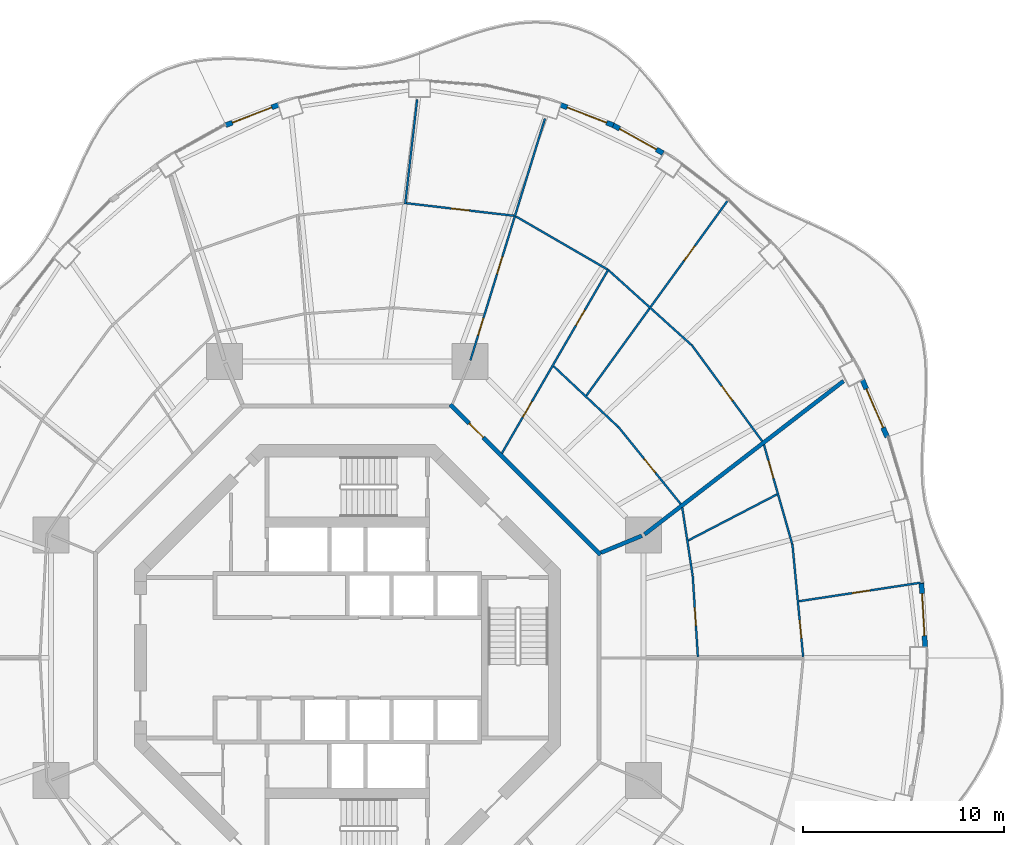
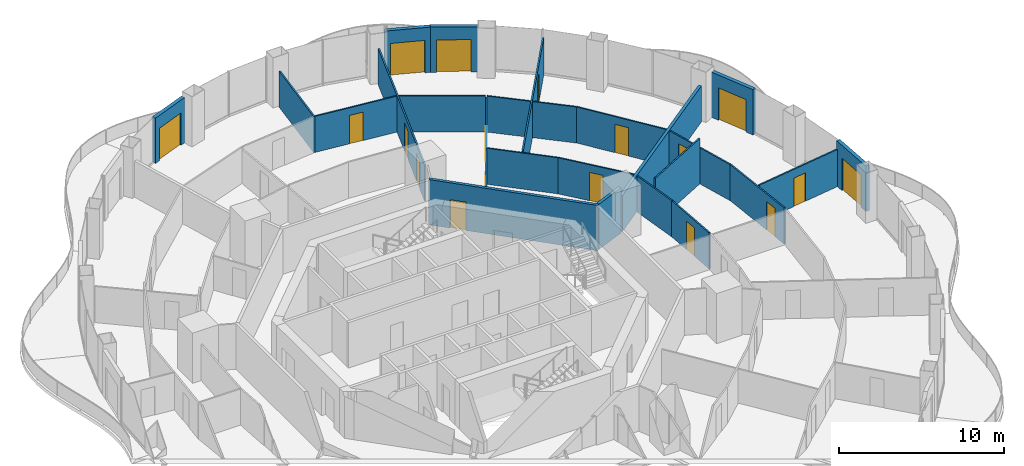
# One storey, part 15 of 19: 24 walls, 18 doors, 18 openings.
"""IFC4 building model written with IfcOpenShell, lengths in metres."""

from ifc_helpers import new_model, si_unit, direction, frame, frame_2d, origin, place, context, subcontext, project, spatial, rectangle, extrude, material, layer, layer_set, type_object, element, fill, save


model = new_model("IFC4")

# Units and contexts
model_context = context("Model", 3, precision=1e-05, world=origin(), true_north=direction((0.0, 1.0)))
body_context = subcontext(model_context, "Body", "Model", "MODEL_VIEW")
ifc_project = project(units=[si_unit("LENGTHUNIT", "METRE"), si_unit("AREAUNIT", "SQUARE_METRE"), si_unit("VOLUMEUNIT", "CUBIC_METRE"), si_unit("PLANEANGLEUNIT", "RADIAN"), si_unit("MASSUNIT", "GRAM", prefix="KILO")], contexts=[model_context])

# Site, building, storey
site_placement = place(None, origin())
site = spatial("IfcSite", under=ifc_project, at=site_placement, CompositionType="ELEMENT")
building_placement = place(site_placement, origin())
building = spatial("IfcBuilding", under=site, at=building_placement, Name="Nagisa Residences", CompositionType="ELEMENT")
storey_placement = place(building_placement, frame((0.0, 0.0, 202.89990234375)))
storey = spatial("IfcBuildingStorey", under=building, at=storey_placement, Name="L51", CompositionType="ELEMENT", Elevation=202.89990234375)

# Walls
ifc_material_1 = material(Name="Gypsum board on steel studs", Category="steel")
ifc_layer_1 = layer(ifc_material_1, 0.199951171875)
ifc_layer_set_1 = layer_set([ifc_layer_1], Name="Apartment compartment wall EI60 200")
wall_type_1 = type_object("IfcWallType", Name="Apartment compartment wall EI60 200", PredefinedType="PARTITIONING", material=ifc_layer_set_1)
wall_1_placement = place(storey_placement, frame((12.6572265625, 5.24267578125, 0.0), z_axis=(0.0, 0.0, 1.0), x_axis=(0.92383017907, 0.382802560388, 0.0)))
element("IfcWall", 1, at=wall_1_placement, inside=storey, type_object=wall_type_1, Name="wall:L51:u00", PredefinedType="PARTITIONING", context=body_context, shape_type="SweptSolid", body=[
    extrude(rectangle(XDim=2.2001953125, YDim=0.199951171875, at=frame_2d((1.10009765625, 0.0))), origin(), (0.0, 0.0, 1.0), 3.35009765625),
])
wall_2_placement = place(storey_placement, frame((14.82177734375, 6.153564453125, 0.0), z_axis=(0.0, 0.0, 1.0), x_axis=(0.792203056092, 0.610257583254, 0.0)))
element("IfcWall", 2, at=wall_2_placement, inside=storey, type_object=wall_type_1, Name="wall:L51:u01", PredefinedType="PARTITIONING", context=body_context, shape_type="SweptSolid", body=[
    extrude(rectangle(XDim=12.53271484375, YDim=0.199951171875, at=frame_2d((6.266357421875, 0.0))), origin(), (0.0, 0.0, 1.0), 2.666015625),
])

# Wall, opening, door
ifc_material_2 = material(Name="Gypsum board on steel studs", Category="steel")
ifc_layer_2 = layer(ifc_material_2, 0.199951171875)
ifc_layer_set_2 = layer_set([ifc_layer_2], Name="Apartment entry wall EI60 200")
wall_type_2 = type_object("IfcWallType", Name="Apartment entry wall EI60 200", PredefinedType="PARTITIONING", material=ifc_layer_set_2)
wall_3_placement = place(storey_placement, frame((12.635498046875, 5.1337890625, 0.0), z_axis=(0.0, 0.0, 1.0), x_axis=(-0.707106781187, 0.707106781187, 0.0)))
wall_3 = element("IfcWall", 3, at=wall_3_placement, inside=storey, type_object=wall_type_2, Name="wall:L51:u07", PredefinedType="PARTITIONING", context=body_context, shape_type="SweptSolid", body=[
    extrude(rectangle(XDim=10.609130859375, YDim=0.199951171875, at=frame_2d((5.3046875, 0.0))), origin(), (0.0, 0.0, 1.0), 3.35009765625),
])
opening_1_placement = place(wall_3_placement, frame((8.274169921875, 0.0, 0.0)))
opening_1 = element("IfcOpeningElement", 4, at=opening_1_placement, cuts=wall_3, Name="Opening L51-U22", PredefinedType="OPENING", context=body_context, shape_type="SweptSolid", body=[
    extrude(rectangle(XDim=1.0, YDim=2.10009765625, at=frame_2d((0.5, 1.050048828125))), frame((0.0, 0.10986328125, 0.0), z_axis=(0.0, -1.0, 0.0), x_axis=(1.0, 0.0, 0.0)), (0.0, 0.0, 1.0), 0.219970703125),
])
ifc_material_3 = material(Name="Timber fire door set", Category="wood")
door_type_1 = type_object("IfcDoorType", Name="Apartment entry door FD30S 1000x2100", OperationType="NOTDEFINED", PredefinedType="DOOR", material=ifc_material_3)
door_1_placement = place(opening_1_placement, frame((1.0, 0.0, 0.0), x_axis=(-1.0, 0.0, 0.0)))
door_1 = element("IfcDoor", 5, at=door_1_placement, inside=storey, type_object=door_type_1, Name="Entry door, Apartment 51B", OperationType="SINGLE_SWING_LEFT", OverallHeight=2.10009765625, OverallWidth=1.0, PredefinedType="DOOR", context=body_context, shape_type="SweptSolid", body=[
    extrude(rectangle(XDim=1.0, YDim=2.10009765625, at=frame_2d((0.5, 1.050048828125))), frame((0.0, 0.02490234375, 0.0), z_axis=(0.0, -1.0, 0.0), x_axis=(1.0, 0.0, 0.0)), (0.0, 0.0, 1.0), 0.050048828125),
])
fill(opening_1, door_1)

ifc_material_4 = material(Name="Gypsum board on steel studs", Category="steel")
ifc_layer_3 = layer(ifc_material_4, 0.10009765625)
ifc_layer_set_3 = layer_set([ifc_layer_3], Name="Apartment partition 100")
wall_type_3 = type_object("IfcWallType", Name="Apartment partition 100", PredefinedType="PARTITIONING", material=ifc_layer_set_3)
wall_4_placement = place(storey_placement, frame((17.484619140625, 0.0498046875, 0.0), z_axis=(0.0, 0.0, 1.0), x_axis=(-0.063673473968, 0.997970785501, 0.0)))
wall_4 = element("IfcWall", 6, at=wall_4_placement, inside=storey, type_object=wall_type_3, Name="wall:L51:u15", PredefinedType="PARTITIONING", context=body_context, shape_type="SweptSolid", body=[
    extrude(rectangle(XDim=4.072021484375, YDim=0.10009765625, at=frame_2d((2.0361328125, 0.0))), origin(), (0.0, 0.0, 1.0), 2.666015625),
])
opening_2_placement = place(wall_4_placement, frame((1.560791015625, 0.0, 0.0)))
opening_2 = element("IfcOpeningElement", 7, at=opening_2_placement, cuts=wall_4, Name="Opening L51-U21", PredefinedType="OPENING", context=body_context, shape_type="SweptSolid", body=[
    extrude(rectangle(XDim=0.89990234375, YDim=2.10009765625, at=frame_2d((0.449951171875, 1.050048828125))), frame((0.0, 0.06005859375, 0.0), z_axis=(0.0, -1.0, 0.0), x_axis=(1.0, 0.0, 0.0)), (0.0, 0.0, 1.0), 0.1201171875),
])
ifc_material_5 = material(Name="Timber door set", Category="wood")
door_type_2 = type_object("IfcDoorType", Name="Apartment door 900x2100", OperationType="NOTDEFINED", PredefinedType="DOOR", material=ifc_material_5)
door_2_placement = place(opening_2_placement, origin())
door_2 = element("IfcDoor", 8, at=door_2_placement, inside=storey, type_object=door_type_2, Name="Door to laundry, Apartment 51A", OperationType="SINGLE_SWING_LEFT", OverallHeight=2.10009765625, OverallWidth=0.89990234375, PredefinedType="DOOR", context=body_context, shape_type="SweptSolid", body=[
    extrude(rectangle(XDim=0.89990234375, YDim=2.10009765625, at=frame_2d((0.449951171875, 1.050048828125))), frame((0.0, 0.02490234375, 0.0), z_axis=(0.0, -1.0, 0.0), x_axis=(1.0, 0.0, 0.0)), (0.0, 0.0, 1.0), 0.050048828125),
])
fill(opening_2, door_2)

wall_5_placement = place(storey_placement, frame((22.734375, 0.0498046875, 0.0), z_axis=(0.0, 0.0, 1.0), x_axis=(-0.0949274088, 0.995484197292, 0.0)))
wall_5 = element("IfcWall", 9, at=wall_5_placement, inside=storey, type_object=wall_type_3, Name="wall:L51:u17", PredefinedType="PARTITIONING", context=body_context, shape_type="SweptSolid", body=[
    extrude(rectangle(XDim=5.647705078125, YDim=0.10009765625, at=frame_2d((2.82373046875, 0.0))), origin(), (0.0, 0.0, 1.0), 2.666015625),
])
opening_3_placement = place(wall_5_placement, frame((0.93701171875, 0.0, 0.0)))
opening_3 = element("IfcOpeningElement", 10, at=opening_3_placement, cuts=wall_5, Name="Opening L51-U16", PredefinedType="OPENING", context=body_context, shape_type="SweptSolid", body=[
    extrude(rectangle(XDim=0.89990234375, YDim=2.10009765625, at=frame_2d((0.449951171875, 1.050048828125))), frame((0.0, 0.06005859375, 0.0), z_axis=(0.0, -1.0, 0.0), x_axis=(1.0, 0.0, 0.0)), (0.0, 0.0, 1.0), 0.1201171875),
])
door_3_placement = place(opening_3_placement, origin())
door_3 = element("IfcDoor", 11, at=door_3_placement, inside=storey, type_object=door_type_2, Name="Door to family room, Apartment 51A", OperationType="SINGLE_SWING_RIGHT", OverallHeight=2.10009765625, OverallWidth=0.89990234375, PredefinedType="DOOR", context=body_context, shape_type="SweptSolid", body=[
    extrude(rectangle(XDim=0.89990234375, YDim=2.10009765625, at=frame_2d((0.449951171875, 1.050048828125))), frame((0.0, 0.02490234375, 0.0), z_axis=(0.0, -1.0, 0.0), x_axis=(1.0, 0.0, 0.0)), (0.0, 0.0, 1.0), 0.050048828125),
])
fill(opening_3, door_3)

wall_6_placement = place(storey_placement, frame((22.5205078125, 2.818603515625, 0.0), z_axis=(0.0, 0.0, 1.0), x_axis=(0.988590363863, 0.150628989499, 0.0)))
wall_6 = element("IfcWall", 12, at=wall_6_placement, inside=storey, type_object=wall_type_3, Name="wall:L51:u19", PredefinedType="PARTITIONING", context=body_context, shape_type="SweptSolid", body=[
    extrude(rectangle(XDim=6.269287109375, YDim=0.10009765625, at=frame_2d((3.134765625, 0.0))), origin(), (0.0, 0.0, 1.0), 2.7470703125),
])
opening_4_placement = place(wall_6_placement, frame((2.684814453125, 0.0, 0.0)))
opening_4 = element("IfcOpeningElement", 13, at=opening_4_placement, cuts=wall_6, Name="Opening L51-U12", PredefinedType="OPENING", context=body_context, shape_type="SweptSolid", body=[
    extrude(rectangle(XDim=0.89990234375, YDim=2.10009765625, at=frame_2d((0.449951171875, 1.050048828125))), frame((0.0, 0.06005859375, 0.0), z_axis=(0.0, -1.0, 0.0), x_axis=(1.0, 0.0, 0.0)), (0.0, 0.0, 1.0), 0.1201171875),
])
door_4_placement = place(opening_4_placement, origin())
door_4 = element("IfcDoor", 14, at=door_4_placement, inside=storey, type_object=door_type_2, Name="Door to master bedroom, Apartment 51A", OperationType="SINGLE_SWING_RIGHT", OverallHeight=2.10009765625, OverallWidth=0.89990234375, PredefinedType="DOOR", context=body_context, shape_type="SweptSolid", body=[
    extrude(rectangle(XDim=0.89990234375, YDim=2.10009765625, at=frame_2d((0.449951171875, 1.050048828125))), frame((0.0, 0.02490234375, 0.0), z_axis=(0.0, -1.0, 0.0), x_axis=(1.0, 0.0, 0.0)), (0.0, 0.0, 1.0), 0.050048828125),
])
fill(opening_4, door_4)

# Wall
wall_7_placement = place(storey_placement, frame((17.220947265625, 4.113037109375, 0.0), z_axis=(0.0, 0.0, 1.0), x_axis=(-0.1510806336, 0.988521442434, 0.0)))
element("IfcWall", 15, at=wall_7_placement, inside=storey, type_object=wall_type_3, Name="wall:L51:u20", PredefinedType="PARTITIONING", context=body_context, shape_type="SweptSolid", body=[
    extrude(rectangle(XDim=3.41943359375, YDim=0.10009765625, at=frame_2d((1.709716796875, 0.0))), origin(), (0.0, 0.0, 1.0), 2.666015625),
])

# Wall, opening, door
wall_8_placement = place(storey_placement, frame((22.189453125, 5.67041015625, 0.0), z_axis=(0.0, 0.0, 1.0), x_axis=(-0.273819702124, 0.961781040949, 0.0)))
wall_8 = element("IfcWall", 16, at=wall_8_placement, inside=storey, type_object=wall_type_3, Name="wall:L51:u21", PredefinedType="PARTITIONING", context=body_context, shape_type="SweptSolid", body=[
    extrude(rectangle(XDim=5.151611328125, YDim=0.10009765625, at=frame_2d((2.57568359375, 0.0))), origin(), (0.0, 0.0, 1.0), 2.666015625),
])
opening_5_placement = place(wall_8_placement, frame((3.42626953125, 0.0, 0.0)))
opening_5 = element("IfcOpeningElement", 17, at=opening_5_placement, cuts=wall_8, Name="Opening L51-U17", PredefinedType="OPENING", context=body_context, shape_type="SweptSolid", body=[
    extrude(rectangle(XDim=0.89990234375, YDim=2.10009765625, at=frame_2d((0.449951171875, 1.050048828125))), frame((0.0, 0.06005859375, 0.0), z_axis=(0.0, -1.0, 0.0), x_axis=(1.0, 0.0, 0.0)), (0.0, 0.0, 1.0), 0.1201171875),
])
door_5_placement = place(opening_5_placement, origin())
door_5 = element("IfcDoor", 18, at=door_5_placement, inside=storey, type_object=door_type_2, Name="Door to en-suite bathroom, Apartment 51A", OperationType="SINGLE_SWING_LEFT", OverallHeight=2.10009765625, OverallWidth=0.89990234375, PredefinedType="DOOR", context=body_context, shape_type="SweptSolid", body=[
    extrude(rectangle(XDim=0.89990234375, YDim=2.10009765625, at=frame_2d((0.449951171875, 1.050048828125))), frame((0.0, 0.02490234375, 0.0), z_axis=(0.0, -1.0, 0.0), x_axis=(1.0, 0.0, 0.0)), (0.0, 0.0, 1.0), 0.050048828125),
])
fill(opening_5, door_5)

# Wall
wall_9_placement = place(storey_placement, frame((17.003173828125, 5.850830078125, 0.0), z_axis=(0.0, 0.0, 1.0), x_axis=(0.887654549419, 0.460509935719, 0.0)))
element("IfcWall", 19, at=wall_9_placement, inside=storey, type_object=wall_type_3, Name="wall:L51:u22", PredefinedType="PARTITIONING", context=body_context, shape_type="SweptSolid", body=[
    extrude(rectangle(XDim=4.990234375, YDim=0.10009765625, at=frame_2d((2.4951171875, 0.0))), origin(), (0.0, 0.0, 1.0), 3.35009765625),
])

# Wall, opening, door
wall_10_placement = place(storey_placement, frame((16.626220703125, 7.669921875, 0.0), z_axis=(0.0, 0.0, 1.0), x_axis=(-0.628764602857, 0.777595700987, 0.0)))
wall_10 = element("IfcWall", 20, at=wall_10_placement, inside=storey, type_object=wall_type_3, Name="wall:L51:u23", PredefinedType="PARTITIONING", context=body_context, shape_type="SweptSolid", body=[
    extrude(rectangle(XDim=4.957275390625, YDim=0.10009765625, at=frame_2d((2.478515625, 0.0))), origin(), (0.0, 0.0, 1.0), 2.666015625),
])
opening_6_placement = place(wall_10_placement, frame((2.003662109375, 0.0, 0.0)))
opening_6 = element("IfcOpeningElement", 21, at=opening_6_placement, cuts=wall_10, Name="Opening L51-U26", PredefinedType="OPENING", context=body_context, shape_type="SweptSolid", body=[
    extrude(rectangle(XDim=0.89990234375, YDim=2.10009765625, at=frame_2d((0.449951171875, 1.050048828125))), frame((0.0, 0.06005859375, 0.0), z_axis=(0.0, -1.0, 0.0), x_axis=(1.0, 0.0, 0.0)), (0.0, 0.0, 1.0), 0.1201171875),
])
door_6_placement = place(opening_6_placement, frame((0.89990234375, 0.0, 0.0), x_axis=(-1.0, 0.0, 0.0)))
door_6 = element("IfcDoor", 22, at=door_6_placement, inside=storey, type_object=door_type_2, Name="Door to kitchen, Apartment 51B", OperationType="SINGLE_SWING_LEFT", OverallHeight=2.10009765625, OverallWidth=0.89990234375, PredefinedType="DOOR", context=body_context, shape_type="SweptSolid", body=[
    extrude(rectangle(XDim=0.89990234375, YDim=2.10009765625, at=frame_2d((0.449951171875, 1.050048828125))), frame((0.0, 0.02490234375, 0.0), z_axis=(0.0, -1.0, 0.0), x_axis=(1.0, 0.0, 0.0)), (0.0, 0.0, 1.0), 0.050048828125),
])
fill(opening_6, door_6)

wall_11_placement = place(storey_placement, frame((20.6923828125, 10.802001953125, 0.0), z_axis=(0.0, 0.0, 1.0), x_axis=(-0.591122127251, 0.806582066918, 0.0)))
wall_11 = element("IfcWall", 23, at=wall_11_placement, inside=storey, type_object=wall_type_3, Name="wall:L51:u24", PredefinedType="PARTITIONING", context=body_context, shape_type="SweptSolid", body=[
    extrude(rectangle(XDim=5.960205078125, YDim=0.10009765625, at=frame_2d((2.97998046875, 0.0))), origin(), (0.0, 0.0, 1.0), 2.666015625),
])
opening_7_placement = place(wall_11_placement, frame((2.5048828125, 0.0, 0.0)))
opening_7 = element("IfcOpeningElement", 24, at=opening_7_placement, cuts=wall_11, Name="Opening L51-U30", PredefinedType="OPENING", context=body_context, shape_type="SweptSolid", body=[
    extrude(rectangle(XDim=0.89990234375, YDim=2.10009765625, at=frame_2d((0.449951171875, 1.050048828125))), frame((0.0, 0.06005859375, 0.0), z_axis=(0.0, -1.0, 0.0), x_axis=(1.0, 0.0, 0.0)), (0.0, 0.0, 1.0), 0.1201171875),
])
door_7_placement = place(opening_7_placement, frame((0.89990234375, 0.0, 0.0), x_axis=(-1.0, 0.0, 0.0)))
door_7 = element("IfcDoor", 25, at=door_7_placement, inside=storey, type_object=door_type_2, Name="Door to dining room, Apartment 51B", OperationType="SINGLE_SWING_LEFT", OverallHeight=2.10009765625, OverallWidth=0.89990234375, PredefinedType="DOOR", context=body_context, shape_type="SweptSolid", body=[
    extrude(rectangle(XDim=0.89990234375, YDim=2.10009765625, at=frame_2d((0.449951171875, 1.050048828125))), frame((0.0, 0.02490234375, 0.0), z_axis=(0.0, -1.0, 0.0), x_axis=(1.0, 0.0, 0.0)), (0.0, 0.0, 1.0), 0.050048828125),
])
fill(opening_7, door_7)

# Walls
wall_12_placement = place(storey_placement, frame((13.50439453125, 11.52001953125, 0.0), z_axis=(0.0, 0.0, 1.0), x_axis=(-0.728885663674, 0.684635442619, 0.0)))
element("IfcWall", 26, at=wall_12_placement, inside=storey, type_object=wall_type_3, Name="wall:L51:u25", PredefinedType="PARTITIONING", context=body_context, shape_type="SweptSolid", body=[
    extrude(rectangle(XDim=4.41943359375, YDim=0.10009765625, at=frame_2d((2.209716796875, 0.0))), origin(), (0.0, 0.0, 1.0), 2.666015625),
])
wall_13_placement = place(storey_placement, frame((17.16162109375, 15.6025390625, 0.0), z_axis=(0.0, 0.0, 1.0), x_axis=(-0.742790086539, 0.66952437397, 0.0)))
element("IfcWall", 27, at=wall_13_placement, inside=storey, type_object=wall_type_3, Name="wall:L51:u26", PredefinedType="PARTITIONING", context=body_context, shape_type="SweptSolid", body=[
    extrude(rectangle(XDim=5.54150390625, YDim=0.10009765625, at=frame_2d((2.770751953125, 0.0))), origin(), (0.0, 0.0, 1.0), 2.666015625),
])

# Wall, opening, door
wall_14_placement = place(storey_placement, frame((11.923095703125, 13.0732421875, 0.0), z_axis=(0.0, 0.0, 1.0), x_axis=(0.586643945506, 0.809844973561, 0.0)))
wall_14 = element("IfcWall", 28, at=wall_14_placement, inside=storey, type_object=wall_type_3, Name="wall:L51:u27", PredefinedType="PARTITIONING", context=body_context, shape_type="SweptSolid", body=[
    extrude(rectangle(XDim=12.104248046875, YDim=0.10009765625, at=frame_2d((6.05224609375, 0.0))), origin(), (0.0, 0.0, 1.0), 2.7470703125),
])
opening_8_placement = place(wall_14_placement, frame((8.310302734375, 0.0, 0.0)))
opening_8 = element("IfcOpeningElement", 29, at=opening_8_placement, cuts=wall_14, Name="Opening L51-U31", PredefinedType="OPENING", context=body_context, shape_type="SweptSolid", body=[
    extrude(rectangle(XDim=0.89990234375, YDim=2.10009765625, at=frame_2d((0.449951171875, 1.050048828125))), frame((0.0, 0.06005859375, 0.0), z_axis=(0.0, -1.0, 0.0), x_axis=(1.0, 0.0, 0.0)), (0.0, 0.0, 1.0), 0.1201171875),
])
door_8_placement = place(opening_8_placement, origin())
door_8 = element("IfcDoor", 30, at=door_8_placement, inside=storey, type_object=door_type_2, Name="Door to master bedroom, Apartment 51B", OperationType="SINGLE_SWING_LEFT", OverallHeight=2.10009765625, OverallWidth=0.89990234375, PredefinedType="DOOR", context=body_context, shape_type="SweptSolid", body=[
    extrude(rectangle(XDim=0.89990234375, YDim=2.10009765625, at=frame_2d((0.449951171875, 1.050048828125))), frame((0.0, 0.02490234375, 0.0), z_axis=(0.0, -1.0, 0.0), x_axis=(1.0, 0.0, 0.0)), (0.0, 0.0, 1.0), 0.050048828125),
])
fill(opening_8, door_8)

# Wall, openings, doors
wall_15_placement = place(storey_placement, frame((7.7080078125, 10.19775390625, 0.0), z_axis=(0.0, 0.0, 1.0), x_axis=(0.501288100085, 0.865280440501, 0.0)))
wall_15 = element("IfcWall", 31, at=wall_15_placement, inside=storey, type_object=wall_type_3, Name="wall:L51:u28", PredefinedType="PARTITIONING", context=body_context, shape_type="SweptSolid", body=[
    extrude(rectangle(XDim=10.623046875, YDim=0.10009765625, at=frame_2d((5.3115234375, 0.0))), origin(), (0.0, 0.0, 1.0), 2.51513671875),
])
opening_9_placement = place(wall_15_placement, frame((2.082275390625, 0.0, 0.0)))
opening_9 = element("IfcOpeningElement", 32, at=opening_9_placement, cuts=wall_15, Name="Opening L51-U23", PredefinedType="OPENING", context=body_context, shape_type="SweptSolid", body=[
    extrude(rectangle(XDim=0.89990234375, YDim=2.10009765625, at=frame_2d((0.449951171875, 1.050048828125))), frame((0.0, 0.06005859375, 0.0), z_axis=(0.0, -1.0, 0.0), x_axis=(1.0, 0.0, 0.0)), (0.0, 0.0, 1.0), 0.1201171875),
])
opening_10_placement = place(wall_15_placement, frame((7.36865234375, 0.0, 0.0)))
opening_10 = element("IfcOpeningElement", 33, at=opening_10_placement, cuts=wall_15, Name="Opening L51-U27", PredefinedType="OPENING", context=body_context, shape_type="SweptSolid", body=[
    extrude(rectangle(XDim=0.89990234375, YDim=2.10009765625, at=frame_2d((0.449951171875, 1.050048828125))), frame((0.0, 0.06005859375, 0.0), z_axis=(0.0, -1.0, 0.0), x_axis=(1.0, 0.0, 0.0)), (0.0, 0.0, 1.0), 0.1201171875),
])
door_9_placement = place(opening_9_placement, frame((0.89990234375, 0.0, 0.0), x_axis=(-1.0, 0.0, 0.0)))
door_9 = element("IfcDoor", 34, at=door_9_placement, inside=storey, type_object=door_type_2, Name="Door to store, Apartment 51B", OperationType="SINGLE_SWING_RIGHT", OverallHeight=2.10009765625, OverallWidth=0.89990234375, PredefinedType="DOOR", context=body_context, shape_type="SweptSolid", body=[
    extrude(rectangle(XDim=0.89990234375, YDim=2.10009765625, at=frame_2d((0.449951171875, 1.050048828125))), frame((0.0, 0.02490234375, 0.0), z_axis=(0.0, -1.0, 0.0), x_axis=(1.0, 0.0, 0.0)), (0.0, 0.0, 1.0), 0.050048828125),
])
fill(opening_9, door_9)
door_10_placement = place(opening_10_placement, frame((0.89990234375, 0.0, 0.0), x_axis=(-1.0, 0.0, 0.0)))
door_10 = element("IfcDoor", 35, at=door_10_placement, inside=storey, type_object=door_type_2, Name="Door to family bathroom, Apartment 51B", OperationType="SINGLE_SWING_RIGHT", OverallHeight=2.10009765625, OverallWidth=0.89990234375, PredefinedType="DOOR", context=body_context, shape_type="SweptSolid", body=[
    extrude(rectangle(XDim=0.89990234375, YDim=2.10009765625, at=frame_2d((0.449951171875, 1.050048828125))), frame((0.0, 0.02490234375, 0.0), z_axis=(0.0, -1.0, 0.0), x_axis=(1.0, 0.0, 0.0)), (0.0, 0.0, 1.0), 0.050048828125),
])
fill(opening_10, door_10)

# Wall
wall_16_placement = place(storey_placement, frame((12.965087890625, 19.371337890625, 0.0), z_axis=(0.0, 0.0, 1.0), x_axis=(-0.865277177388, 0.501293732547, 0.0)))
element("IfcWall", 36, at=wall_16_placement, inside=storey, type_object=wall_type_3, Name="wall:L51:u29", PredefinedType="PARTITIONING", context=body_context, shape_type="SweptSolid", body=[
    extrude(rectangle(XDim=5.27001953125, YDim=0.10009765625, at=frame_2d((2.635009765625, 0.0))), origin(), (0.0, 0.0, 1.0), 2.666015625),
])

# Wall, openings, doors
wall_17_placement = place(storey_placement, frame((6.1376953125, 14.829833984375, 0.0), z_axis=(0.0, 0.0, 1.0), x_axis=(0.294818517221, 0.955553264818, 0.0)))
wall_17 = element("IfcWall", 37, at=wall_17_placement, inside=storey, type_object=wall_type_3, Name="wall:L51:u31", PredefinedType="PARTITIONING", context=body_context, shape_type="SweptSolid", body=[
    extrude(rectangle(XDim=12.619384765625, YDim=0.10009765625, at=frame_2d((6.3095703125, 0.0))), origin(), (0.0, 0.0, 1.0), 2.666015625),
])
opening_11_placement = place(wall_17_placement, frame((1.3056640625, 0.0, 0.0)))
opening_11 = element("IfcOpeningElement", 38, at=opening_11_placement, cuts=wall_17, Name="Opening L51-U24", PredefinedType="OPENING", context=body_context, shape_type="SweptSolid", body=[
    extrude(rectangle(XDim=0.89990234375, YDim=2.10009765625, at=frame_2d((0.449951171875, 1.050048828125))), frame((0.0, 0.06005859375, 0.0), z_axis=(0.0, -1.0, 0.0), x_axis=(1.0, 0.0, 0.0)), (0.0, 0.0, 1.0), 0.1201171875),
])
opening_12_placement = place(wall_17_placement, frame((4.5146484375, 0.0, 0.0)))
opening_12 = element("IfcOpeningElement", 39, at=opening_12_placement, cuts=wall_17, Name="Opening L51-U28", PredefinedType="OPENING", context=body_context, shape_type="SweptSolid", body=[
    extrude(rectangle(XDim=0.89990234375, YDim=2.10009765625, at=frame_2d((0.449951171875, 1.050048828125))), frame((0.0, 0.06005859375, 0.0), z_axis=(0.0, -1.0, 0.0), x_axis=(1.0, 0.0, 0.0)), (0.0, 0.0, 1.0), 0.1201171875),
])
door_11_placement = place(opening_11_placement, origin())
door_11 = element("IfcDoor", 40, at=door_11_placement, inside=storey, type_object=door_type_2, Name="Door to store, Apartment 51B", OperationType="SINGLE_SWING_RIGHT", OverallHeight=2.10009765625, OverallWidth=0.89990234375, PredefinedType="DOOR", context=body_context, shape_type="SweptSolid", body=[
    extrude(rectangle(XDim=0.89990234375, YDim=2.10009765625, at=frame_2d((0.449951171875, 1.050048828125))), frame((0.0, 0.02490234375, 0.0), z_axis=(0.0, -1.0, 0.0), x_axis=(1.0, 0.0, 0.0)), (0.0, 0.0, 1.0), 0.050048828125),
])
fill(opening_11, door_11)
door_12_placement = place(opening_12_placement, origin())
door_12 = element("IfcDoor", 41, at=door_12_placement, inside=storey, type_object=door_type_2, Name="Door to dining room, Apartment 51B", OperationType="SINGLE_SWING_RIGHT", OverallHeight=2.10009765625, OverallWidth=0.89990234375, PredefinedType="DOOR", context=body_context, shape_type="SweptSolid", body=[
    extrude(rectangle(XDim=0.89990234375, YDim=2.10009765625, at=frame_2d((0.449951171875, 1.050048828125))), frame((0.0, 0.02490234375, 0.0), z_axis=(0.0, -1.0, 0.0), x_axis=(1.0, 0.0, 0.0)), (0.0, 0.0, 1.0), 0.050048828125),
])
fill(opening_12, door_12)

# Wall, opening, door
wall_18_placement = place(storey_placement, frame((8.31201171875, 22.0439453125, 0.0), z_axis=(0.0, 0.0, 1.0), x_axis=(-0.993245806382, 0.1160291692, 0.0)))
wall_18 = element("IfcWall", 42, at=wall_18_placement, inside=storey, type_object=wall_type_3, Name="wall:L51:u33", PredefinedType="PARTITIONING", context=body_context, shape_type="SweptSolid", body=[
    extrude(rectangle(XDim=5.40771484375, YDim=0.10009765625, at=frame_2d((2.703857421875, 0.0))), origin(), (0.0, 0.0, 1.0), 2.666015625),
])
opening_13_placement = place(wall_18_placement, frame((2.25390625, 0.0, 0.0)))
opening_13 = element("IfcOpeningElement", 43, at=opening_13_placement, cuts=wall_18, Name="Opening L51-U32", PredefinedType="OPENING", context=body_context, shape_type="SweptSolid", body=[
    extrude(rectangle(XDim=0.89990234375, YDim=2.10009765625, at=frame_2d((0.449951171875, 1.050048828125))), frame((0.0, 0.06005859375, 0.0), z_axis=(0.0, -1.0, 0.0), x_axis=(1.0, 0.0, 0.0)), (0.0, 0.0, 1.0), 0.1201171875),
])
door_13_placement = place(opening_13_placement, frame((0.89990234375, 0.0, 0.0), x_axis=(-1.0, 0.0, 0.0)))
door_13 = element("IfcDoor", 44, at=door_13_placement, inside=storey, type_object=door_type_2, Name="Door to bedroom, Apartment 51B", OperationType="SINGLE_SWING_LEFT", OverallHeight=2.10009765625, OverallWidth=0.89990234375, PredefinedType="DOOR", context=body_context, shape_type="SweptSolid", body=[
    extrude(rectangle(XDim=0.89990234375, YDim=2.10009765625, at=frame_2d((0.449951171875, 1.050048828125))), frame((0.0, 0.02490234375, 0.0), z_axis=(0.0, -1.0, 0.0), x_axis=(1.0, 0.0, 0.0)), (0.0, 0.0, 1.0), 0.050048828125),
])
fill(opening_13, door_13)

# Wall
wall_19_placement = place(storey_placement, frame((2.885498046875, 22.62744140625, 0.0), z_axis=(0.0, 0.0, 1.0), x_axis=(0.113634556485, 0.993522615531, 0.0)))
element("IfcWall", 45, at=wall_19_placement, inside=storey, type_object=wall_type_3, Name="wall:L51:u35", PredefinedType="PARTITIONING", context=body_context, shape_type="SweptSolid", body=[
    extrude(rectangle(XDim=5.244384765625, YDim=0.10009765625, at=frame_2d((2.6220703125, 0.0))), origin(), (0.0, 0.0, 1.0), 2.666015625),
])

# Wall, opening, door
ifc_material_6 = material(Name="Precast concrete C40/50", Category="concrete")
ifc_layer_4 = layer(ifc_material_6, 0.25)
ifc_layer_set_4 = layer_set([ifc_layer_4], Name="BALCONY DOOR WALL 250")
wall_type_4 = type_object("IfcWallType", Name="BALCONY DOOR WALL 250", PredefinedType="SOLIDWALL", material=ifc_layer_set_4)
wall_20_placement = place(storey_placement, frame((28.633056640625, 3.76171875, 0.0), z_axis=(0.0, 0.0, 1.0), x_axis=(0.057532692854, -0.998343622834, 0.0)))
wall_20 = element("IfcWall", 46, at=wall_20_placement, inside=storey, type_object=wall_type_4, Name="wall:L51:bay00", PredefinedType="SOLIDWALL", context=body_context, shape_type="SweptSolid", body=[
    extrude(rectangle(XDim=3.22509765625, YDim=0.25, at=frame_2d((1.612548828125, 0.0))), origin(), (0.0, 0.0, 1.0), 3.35009765625),
])
opening_14_placement = place(wall_20_placement, frame((0.5625, 0.0, 0.0)))
opening_14 = element("IfcOpeningElement", 47, at=opening_14_placement, cuts=wall_20, Name="Opening BD-L51-01", PredefinedType="OPENING", context=body_context, shape_type="SweptSolid", body=[
    extrude(rectangle(XDim=2.10009765625, YDim=2.39990234375, at=frame_2d((1.050048828125, 1.199951171875))), frame((0.0, 0.135009765625, 0.0), z_axis=(0.0, -1.0, 0.0), x_axis=(1.0, 0.0, 0.0)), (0.0, 0.0, 1.0), 0.27001953125),
])
ifc_material_7 = material(Name="Aluminium and clear glass", Category="aluminium")
door_type_3 = type_object("IfcDoorType", Name="BALCONY SLIDING DOOR 2100x2400", OperationType="SLIDING_TO_LEFT", PredefinedType="DOOR", material=ifc_material_7)
door_14_placement = place(opening_14_placement, origin())
door_14 = element("IfcDoor", 48, at=door_14_placement, inside=storey, type_object=door_type_3, Name="door:L51:bay00", OperationType="SLIDING_TO_LEFT", OverallHeight=2.39990234375, OverallWidth=2.10009765625, PredefinedType="DOOR", context=body_context, shape_type="SweptSolid", body=[
    extrude(rectangle(XDim=2.10009765625, YDim=2.39990234375, at=frame_2d((1.050048828125, 1.199951171875))), frame((0.0, 0.02490234375, 0.0), z_axis=(0.0, -1.0, 0.0), x_axis=(1.0, 0.0, 0.0)), (0.0, 0.0, 1.0), 0.050048828125),
])
fill(opening_14, door_14)

wall_21_placement = place(storey_placement, frame((25.679443359375, 13.883056640625, 0.0), z_axis=(0.0, 0.0, 1.0), x_axis=(0.397620521824, -0.917549955384, 0.0)))
wall_21 = element("IfcWall", 49, at=wall_21_placement, inside=storey, type_object=wall_type_4, Name="wall:L51:bay03", PredefinedType="SOLIDWALL", context=body_context, shape_type="SweptSolid", body=[
    extrude(rectangle(XDim=3.141845703125, YDim=0.25, at=frame_2d((1.57080078125, 0.0))), origin(), (0.0, 0.0, 1.0), 3.35009765625),
])
opening_15_placement = place(wall_21_placement, frame((0.52099609375, 0.0, 0.0)))
opening_15 = element("IfcOpeningElement", 50, at=opening_15_placement, cuts=wall_21, Name="Opening BD-L51-02", PredefinedType="OPENING", context=body_context, shape_type="SweptSolid", body=[
    extrude(rectangle(XDim=2.10009765625, YDim=2.39990234375, at=frame_2d((1.050048828125, 1.199951171875))), frame((0.0, 0.135009765625, 0.0), z_axis=(0.0, -1.0, 0.0), x_axis=(1.0, 0.0, 0.0)), (0.0, 0.0, 1.0), 0.27001953125),
])
door_15_placement = place(opening_15_placement, origin())
door_15 = element("IfcDoor", 51, at=door_15_placement, inside=storey, type_object=door_type_3, Name="door:L51:bay03", OperationType="SLIDING_TO_LEFT", OverallHeight=2.39990234375, OverallWidth=2.10009765625, PredefinedType="DOOR", context=body_context, shape_type="SweptSolid", body=[
    extrude(rectangle(XDim=2.10009765625, YDim=2.39990234375, at=frame_2d((1.050048828125, 1.199951171875))), frame((0.0, 0.02490234375, 0.0), z_axis=(0.0, -1.0, 0.0), x_axis=(1.0, 0.0, 0.0)), (0.0, 0.0, 1.0), 0.050048828125),
])
fill(opening_15, door_15)

wall_22_placement = place(storey_placement, frame((13.24951171875, 26.568115234375, 0.0), z_axis=(0.0, 0.0, 1.0), x_axis=(0.872057843239, -0.489402817774, 0.0)))
wall_22 = element("IfcWall", 52, at=wall_22_placement, inside=storey, type_object=wall_type_4, Name="wall:L51:bay08", PredefinedType="SOLIDWALL", context=body_context, shape_type="SweptSolid", body=[
    extrude(rectangle(XDim=2.863525390625, YDim=0.25, at=frame_2d((1.431640625, 0.0))), origin(), (0.0, 0.0, 1.0), 3.35009765625),
])
opening_16_placement = place(wall_22_placement, frame((0.3818359375, 0.0, 0.0)))
opening_16 = element("IfcOpeningElement", 53, at=opening_16_placement, cuts=wall_22, Name="Opening BD-L51-03", PredefinedType="OPENING", context=body_context, shape_type="SweptSolid", body=[
    extrude(rectangle(XDim=2.10009765625, YDim=2.39990234375, at=frame_2d((1.050048828125, 1.199951171875))), frame((0.0, 0.135009765625, 0.0), z_axis=(0.0, -1.0, 0.0), x_axis=(1.0, 0.0, 0.0)), (0.0, 0.0, 1.0), 0.27001953125),
])
door_16_placement = place(opening_16_placement, origin())
door_16 = element("IfcDoor", 54, at=door_16_placement, inside=storey, type_object=door_type_3, Name="door:L51:bay08", OperationType="SLIDING_TO_LEFT", OverallHeight=2.39990234375, OverallWidth=2.10009765625, PredefinedType="DOOR", context=body_context, shape_type="SweptSolid", body=[
    extrude(rectangle(XDim=2.10009765625, YDim=2.39990234375, at=frame_2d((1.050048828125, 1.199951171875))), frame((0.0, 0.02490234375, 0.0), z_axis=(0.0, -1.0, 0.0), x_axis=(1.0, 0.0, 0.0)), (0.0, 0.0, 1.0), 0.050048828125),
])
fill(opening_16, door_16)

wall_23_placement = place(storey_placement, frame((10.635498046875, 27.576416015625, 0.0), z_axis=(0.0, 0.0, 1.0), x_axis=(0.932806734513, -0.360377019311, 0.0)))
wall_23 = element("IfcWall", 55, at=wall_23_placement, inside=storey, type_object=wall_type_4, Name="wall:L51:bay09", PredefinedType="SOLIDWALL", context=body_context, shape_type="SweptSolid", body=[
    extrude(rectangle(XDim=2.819580078125, YDim=0.25, at=frame_2d((1.40966796875, 0.0))), origin(), (0.0, 0.0, 1.0), 3.35009765625),
])
opening_17_placement = place(wall_23_placement, frame((0.359619140625, 0.0, 0.0)))
opening_17 = element("IfcOpeningElement", 56, at=opening_17_placement, cuts=wall_23, Name="Opening BD-L51-04", PredefinedType="OPENING", context=body_context, shape_type="SweptSolid", body=[
    extrude(rectangle(XDim=2.10009765625, YDim=2.39990234375, at=frame_2d((1.050048828125, 1.199951171875))), frame((0.0, 0.135009765625, 0.0), z_axis=(0.0, -1.0, 0.0), x_axis=(1.0, 0.0, 0.0)), (0.0, 0.0, 1.0), 0.27001953125),
])
door_17_placement = place(opening_17_placement, origin())
door_17 = element("IfcDoor", 57, at=door_17_placement, inside=storey, type_object=door_type_3, Name="door:L51:bay09", OperationType="SLIDING_TO_LEFT", OverallHeight=2.39990234375, OverallWidth=2.10009765625, PredefinedType="DOOR", context=body_context, shape_type="SweptSolid", body=[
    extrude(rectangle(XDim=2.10009765625, YDim=2.39990234375, at=frame_2d((1.050048828125, 1.199951171875))), frame((0.0, 0.02490234375, 0.0), z_axis=(0.0, -1.0, 0.0), x_axis=(1.0, 0.0, 0.0)), (0.0, 0.0, 1.0), 0.050048828125),
])
fill(opening_17, door_17)

wall_24_placement = place(storey_placement, frame((-6.0654296875, 26.560302734375, 0.0), z_axis=(0.0, 0.0, 1.0), x_axis=(0.932795487898, 0.360406128911, 0.0)))
wall_24 = element("IfcWall", 58, at=wall_24_placement, inside=storey, type_object=wall_type_4, Name="wall:L51:bay14", PredefinedType="SOLIDWALL", context=body_context, shape_type="SweptSolid", body=[
    extrude(rectangle(XDim=2.8193359375, YDim=0.25, at=frame_2d((1.40966796875, 0.0))), origin(), (0.0, 0.0, 1.0), 3.35009765625),
])
opening_18_placement = place(wall_24_placement, frame((0.359619140625, 0.0, 0.0)))
opening_18 = element("IfcOpeningElement", 59, at=opening_18_placement, cuts=wall_24, Name="Opening BD-L51-05", PredefinedType="OPENING", context=body_context, shape_type="SweptSolid", body=[
    extrude(rectangle(XDim=2.10009765625, YDim=2.39990234375, at=frame_2d((1.050048828125, 1.199951171875))), frame((0.0, 0.135009765625, 0.0), z_axis=(0.0, -1.0, 0.0), x_axis=(1.0, 0.0, 0.0)), (0.0, 0.0, 1.0), 0.27001953125),
])
door_18_placement = place(opening_18_placement, origin())
door_18 = element("IfcDoor", 60, at=door_18_placement, inside=storey, type_object=door_type_3, Name="door:L51:bay14", OperationType="SLIDING_TO_LEFT", OverallHeight=2.39990234375, OverallWidth=2.10009765625, PredefinedType="DOOR", context=body_context, shape_type="SweptSolid", body=[
    extrude(rectangle(XDim=2.10009765625, YDim=2.39990234375, at=frame_2d((1.050048828125, 1.199951171875))), frame((0.0, 0.02490234375, 0.0), z_axis=(0.0, -1.0, 0.0), x_axis=(1.0, 0.0, 0.0)), (0.0, 0.0, 1.0), 0.050048828125),
])
fill(opening_18, door_18)

save(model, "model.ifc")
